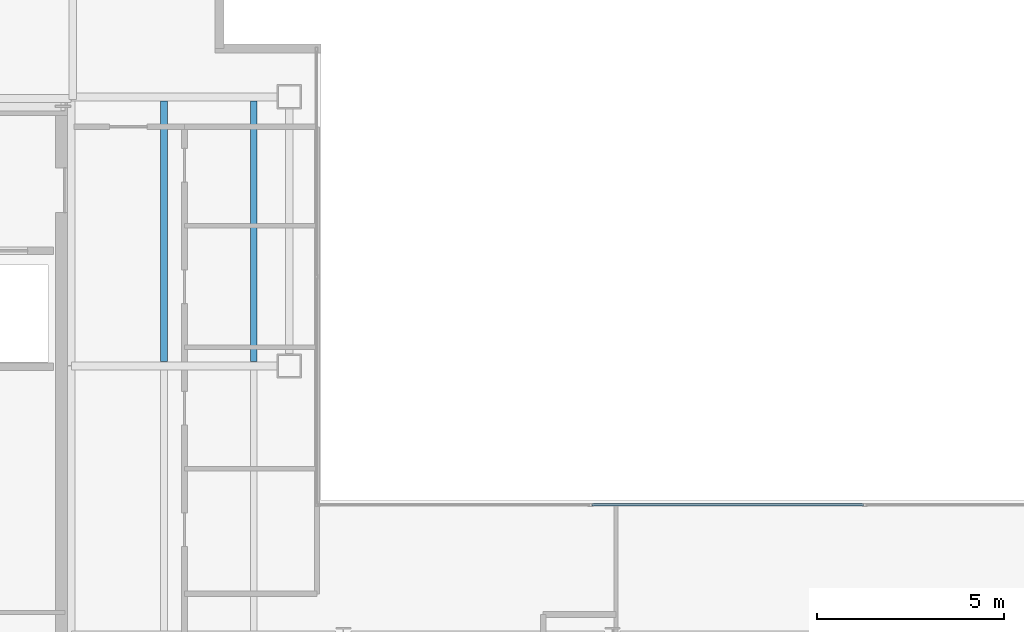
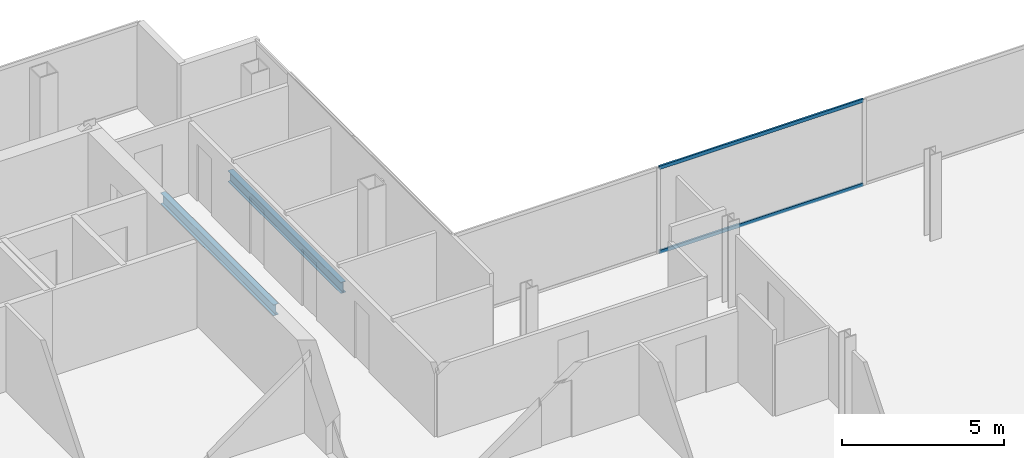
# One storey, part 10 of 23: 2 beams, 2 members, 1 element without a shape of its own.
"""IFC4 building model written with IfcOpenShell, lengths in metres."""

from ifc_helpers import new_model, si_unit, direction, frame, origin, origin_2d, place, context, subcontext, project, spatial, hollow_rectangle, i_section, extrude, material, material_profile, profile_set, type_object, element, aggregate, save


model = new_model("IFC4")

# Units and contexts
model_context = context("Model", 3, precision=1e-05, world=origin(), true_north=direction((0.0, 1.0)))
body_context = subcontext(model_context, "Body", "Model", "MODEL_VIEW")
ifc_project = project(units=[si_unit("LENGTHUNIT", "METRE"), si_unit("AREAUNIT", "SQUARE_METRE"), si_unit("VOLUMEUNIT", "CUBIC_METRE"), si_unit("PLANEANGLEUNIT", "RADIAN"), si_unit("MASSUNIT", "GRAM", prefix="KILO")], contexts=[model_context])

# Site, building, storey
site_placement = place(None, origin())
site = spatial("IfcSite", under=ifc_project, at=site_placement, CompositionType="ELEMENT")
building_placement = place(site_placement, origin())
building = spatial("IfcBuilding", under=site, at=building_placement, Name="Cobrela Telecom Tower", CompositionType="ELEMENT")
storey_placement = place(building_placement, frame((0.0, 0.0, 265.64990234375)))
storey = spatial("IfcBuildingStorey", under=building, at=storey_placement, Name="L69", CompositionType="ELEMENT", Elevation=265.64990234375)

# Beams
ifc_material_1 = material(Name="Steel ASTM A992 Grade 50", Category="steel")
ifc_material_profile_1 = material_profile(ifc_material_1, i_section(OverallWidth=0.179931640625, OverallDepth=0.4169921875, WebThickness=0.010986328125, FlangeThickness=0.01806640625, FilletRadius=0.011962890625, at=origin_2d()), Name="W16X57")
ifc_profile_set_1 = profile_set([ifc_material_profile_1], Name="Steel ASTM A992 Grade 50")
beam_type = type_object("IfcBeamType", Name="BM-JOIST-04", PredefinedType="JOIST", material=ifc_profile_set_1)
for number, where, z_axis, x_axis, name in (
    (1, (16.800048828125, 28.91162109375, -0.468505859375), (0.0, 1.0, 0.0), (-1.0, 0.0, 0.0), "L69 Secondary Composite Floor Beam J03"),
    (2, (19.199951171875, 28.91162109375, -0.468505859375), (0.0, 1.0, 0.0), (-1.0, 0.0, 0.0), "L69 Secondary Composite Floor Beam J06"),
):
    element("IfcBeam", number, at=place(storey_placement, frame(where, z_axis=z_axis, x_axis=x_axis)), inside=storey, type_object=beam_type, Name=name, PredefinedType="JOIST", context=body_context, shape_type="SweptSolid", body=[
        extrude(i_section(OverallWidth=0.179931640625, OverallDepth=0.4169921875, WebThickness=0.010986328125, FlangeThickness=0.01806640625, FilletRadius=0.011962890625, at=origin_2d()), origin(), (0.0, 0.0, 1.0), 6.976806640625),
    ])

# Curtain wall, members
ifc_material_2 = material(Name="Anodized Bronze Aluminium 6063-T6", Category="aluminium")
curtain_wall_type = type_object("IfcCurtainWallType", Name="CW-SYS-OFF-HI", PredefinedType="USERDEFINED", material=ifc_material_2)
curtain_wall_placement = place(storey_placement, origin())
curtain_wall = element("IfcCurtainWall", 3, at=curtain_wall_placement, inside=storey, type_object=curtain_wall_type, Name="L69 Unitised Bronze Curtain Wall 09", ObjectType="UNITISED CURTAIN WALL", PredefinedType="USERDEFINED")
ifc_material_profile_2 = material_profile(ifc_material_2, hollow_rectangle(XDim=0.06494140625, YDim=0.1298828125, WallThickness=0.00390625, at=origin_2d()), Name="ALU 65x130x4")
ifc_profile_set_2 = profile_set([ifc_material_profile_2], Name="Anodized Bronze Aluminium 6063-T6")
member_type = type_object("IfcMemberType", Name="CW-SYS-OFF-HI-TRN", PredefinedType="USERDEFINED", material=ifc_profile_set_2)
member_1_placement = place(storey_placement, frame((28.251708984375, 25.080078125, 0.03271484375), z_axis=(1.0, 0.0, 0.0), x_axis=(0.0, 1.0, 0.0)))
member_1 = element("IfcMember", 4, at=member_1_placement, type_object=member_type, Name="CW-OFF-HI transom 2.1", ObjectType="TRANSOM", PredefinedType="USERDEFINED", context=body_context, shape_type="SweptSolid", body=[
    extrude(hollow_rectangle(XDim=0.06494140625, YDim=0.1298828125, WallThickness=0.00390625, at=origin_2d()), origin(), (0.0, 0.0, 1.0), 7.2666015625),
])
member_2_placement = place(storey_placement, frame((28.251708984375, 25.080078125, 3.20751953125), z_axis=(1.0, 0.0, 0.0), x_axis=(0.0, 1.0, 0.0)))
member_2 = element("IfcMember", 5, at=member_2_placement, type_object=member_type, Name="CW-OFF-HI transom 2.2", ObjectType="TRANSOM", PredefinedType="USERDEFINED", context=body_context, shape_type="SweptSolid", body=[
    extrude(hollow_rectangle(XDim=0.06494140625, YDim=0.1298828125, WallThickness=0.00390625, at=origin_2d()), origin(), (0.0, 0.0, 1.0), 7.2666015625),
])
aggregate(curtain_wall, [member_1, member_2])

save(model, "model.ifc")
